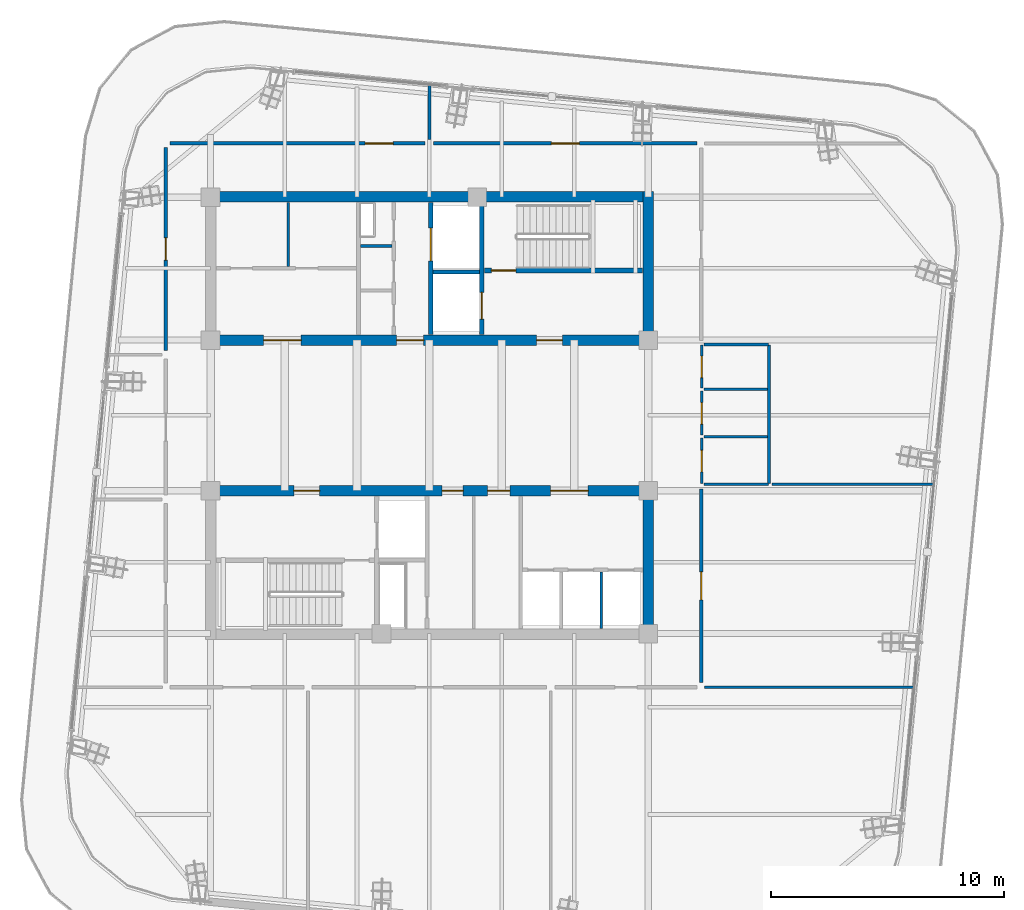
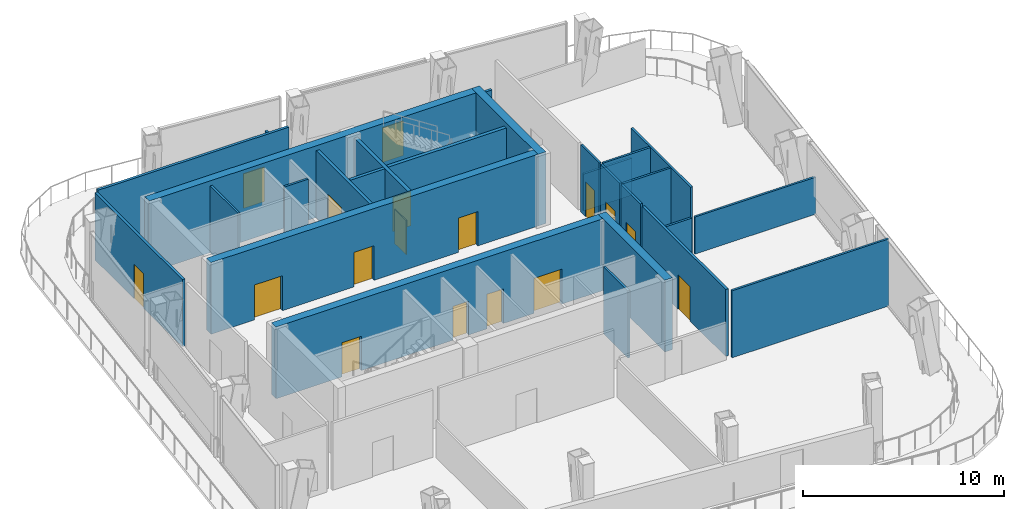
# One storey, part 13 of 19: 27 walls, 17 doors, 17 openings.
"""IFC4 building model written with IfcOpenShell, lengths in metres."""

from ifc_helpers import new_model, si_unit, direction, frame, frame_2d, origin, place, context, subcontext, project, spatial, rectangle, extrude, material, layer, layer_set, type_object, element, fill, save


model = new_model("IFC4")

# Units and contexts
model_context = context("Model", 3, precision=1e-05, world=origin(), true_north=direction((0.0, 1.0)))
body_context = subcontext(model_context, "Body", "Model", "MODEL_VIEW")
ifc_project = project(units=[si_unit("LENGTHUNIT", "METRE"), si_unit("AREAUNIT", "SQUARE_METRE"), si_unit("VOLUMEUNIT", "CUBIC_METRE"), si_unit("PLANEANGLEUNIT", "RADIAN"), si_unit("MASSUNIT", "GRAM", prefix="KILO")], contexts=[model_context])

# Site, building, storey
site_placement = place(None, origin())
site = spatial("IfcSite", under=ifc_project, at=site_placement, CompositionType="ELEMENT")
building_placement = place(site_placement, origin())
building = spatial("IfcBuilding", under=site, at=building_placement, Name="Qhalaya Broadcast Tower", CompositionType="ELEMENT")
storey_placement = place(building_placement, frame((0.0, 0.0, 280.550048828125)))
storey = spatial("IfcBuildingStorey", under=building, at=storey_placement, Name="L83", CompositionType="ELEMENT", Elevation=280.550048828125)

# Wall, opening, door
ifc_material_1 = material(Name="Gypsum Acoustic Partition")
ifc_layer_1 = layer(ifc_material_1, 0.14990234375, Name="Gypsum Acoustic Partition")
ifc_layer_set_1 = layer_set([ifc_layer_1], Name="Gypsum Acoustic Partition")
wall_type_1 = type_object("IfcWallType", Name="Corridor & Tenancy Acoustic Partition 150", PredefinedType="PARTITIONING", material=ifc_layer_set_1)
wall_1_placement = place(storey_placement, frame((-11.1201171875, 12.25, 0.0), z_axis=(0.0, 0.0, 1.0), x_axis=(1.0, 0.0, 0.0)))
wall_1 = element("IfcWall", 1, at=wall_1_placement, inside=storey, type_object=wall_type_1, Name="L83 Partition Wall W-COR-01", PredefinedType="PARTITIONING", context=body_context, shape_type="SweptSolid", body=[
    extrude(rectangle(XDim=10.940185546875, YDim=0.14990234375, at=frame_2d((5.47021484375, 0.0))), origin(), (0.0, 0.0, 1.0), 4.070068359375),
])
opening_1_placement = place(wall_1_placement, frame((8.37109375, 0.0, 0.0)))
opening_1 = element("IfcOpeningElement", 2, at=opening_1_placement, cuts=wall_1, Name="Opening D11", PredefinedType="OPENING", context=body_context, shape_type="SweptSolid", body=[
    extrude(rectangle(XDim=1.199951171875, YDim=2.10009765625, at=frame_2d((0.60009765625, 1.050048828125))), frame((0.0, 0.0869140625, 0.0), z_axis=(0.0, -1.0, 0.0), x_axis=(1.0, 0.0, 0.0)), (0.0, 0.0, 1.0), 0.173828125),
])
ifc_material_2 = material(Name="Anodised Aluminium Glazed Door", Category="aluminium")
door_type_1 = type_object("IfcDoorType", Name="Conference, Boardroom & Studio Control Door D11", OperationType="NOTDEFINED", PredefinedType="DOOR", material=ifc_material_2)
door_1_placement = place(opening_1_placement, origin())
door_1 = element("IfcDoor", 3, at=door_1_placement, inside=storey, type_object=door_type_1, Name="L83 Door D-RM01", OperationType="SINGLE_SWING_LEFT", OverallHeight=2.10009765625, OverallWidth=1.199951171875, PredefinedType="DOOR", context=body_context, shape_type="SweptSolid", body=[
    extrude(rectangle(XDim=1.199951171875, YDim=2.10009765625, at=frame_2d((0.60009765625, 1.050048828125))), frame((0.0, 0.02490234375, 0.0), z_axis=(0.0, -1.0, 0.0), x_axis=(1.0, 0.0, 0.0)), (0.0, 0.0, 1.0), 0.050048828125),
])
fill(opening_1, door_1)

wall_2_placement = place(storey_placement, frame((0.179931640625, 12.25, 0.0), z_axis=(0.0, 0.0, 1.0), x_axis=(1.0, 0.0, 0.0)))
wall_2 = element("IfcWall", 4, at=wall_2_placement, inside=storey, type_object=wall_type_1, Name="L83 Partition Wall W-COR-02", PredefinedType="PARTITIONING", context=body_context, shape_type="SweptSolid", body=[
    extrude(rectangle(XDim=11.2900390625, YDim=0.14990234375, at=frame_2d((5.64501953125, 0.0))), origin(), (0.0, 0.0, 1.0), 2.25),
])
opening_2_placement = place(wall_2_placement, frame((5.044921875, 0.0, 0.0)))
opening_2 = element("IfcOpeningElement", 5, at=opening_2_placement, cuts=wall_2, Name="Opening D11", PredefinedType="OPENING", context=body_context, shape_type="SweptSolid", body=[
    extrude(rectangle(XDim=1.199951171875, YDim=2.10009765625, at=frame_2d((0.60009765625, 1.050048828125))), frame((0.0, 0.0869140625, 0.0), z_axis=(0.0, -1.0, 0.0), x_axis=(1.0, 0.0, 0.0)), (0.0, 0.0, 1.0), 0.173828125),
])
door_2_placement = place(opening_2_placement, origin())
door_2 = element("IfcDoor", 6, at=door_2_placement, inside=storey, type_object=door_type_1, Name="L83 Door D-RM02", OperationType="SINGLE_SWING_RIGHT", OverallHeight=2.10009765625, OverallWidth=1.199951171875, PredefinedType="DOOR", context=body_context, shape_type="SweptSolid", body=[
    extrude(rectangle(XDim=1.199951171875, YDim=2.10009765625, at=frame_2d((0.60009765625, 1.050048828125))), frame((0.0, 0.02490234375, 0.0), z_axis=(0.0, -1.0, 0.0), x_axis=(1.0, 0.0, 0.0)), (0.0, 0.0, 1.0), 0.050048828125),
])
fill(opening_2, door_2)

wall_3_placement = place(storey_placement, frame((-11.300048828125, 3.3798828125, 0.0), z_axis=(0.0, 0.0, 1.0), x_axis=(0.0, 1.0, 0.0)))
wall_3 = element("IfcWall", 7, at=wall_3_placement, inside=storey, type_object=wall_type_1, Name="L83 Partition Wall W-COR-08", PredefinedType="PARTITIONING", context=body_context, shape_type="SweptSolid", body=[
    extrude(rectangle(XDim=8.690185546875, YDim=0.14990234375, at=frame_2d((4.34521484375, 0.0))), origin(), (0.0, 0.0, 1.0), 4.070068359375),
])
opening_3_placement = place(wall_3_placement, frame((3.8701171875, 0.0, 0.0)))
opening_3 = element("IfcOpeningElement", 8, at=opening_3_placement, cuts=wall_3, Name="Opening D10", PredefinedType="OPENING", context=body_context, shape_type="SweptSolid", body=[
    extrude(rectangle(XDim=0.949951171875, YDim=2.10009765625, at=frame_2d((0.47509765625, 1.050048828125))), frame((0.0, 0.0869140625, 0.0), z_axis=(0.0, -1.0, 0.0), x_axis=(1.0, 0.0, 0.0)), (0.0, 0.0, 1.0), 0.173828125),
])
ifc_material_3 = material(Name="Timber Veneer Acoustic Door", Category="wood")
door_type_2 = type_object("IfcDoorType", Name="Cellular Office & Edit Booth Door D10", OperationType="NOTDEFINED", PredefinedType="DOOR", material=ifc_material_3)
door_3_placement = place(opening_3_placement, origin())
door_3 = element("IfcDoor", 9, at=door_3_placement, inside=storey, type_object=door_type_2, Name="L83 Door D-RM08", OperationType="SINGLE_SWING_RIGHT", OverallHeight=2.10009765625, OverallWidth=0.949951171875, PredefinedType="DOOR", context=body_context, shape_type="SweptSolid", body=[
    extrude(rectangle(XDim=0.949951171875, YDim=2.10009765625, at=frame_2d((0.47509765625, 1.050048828125))), frame((0.0, 0.02490234375, 0.0), z_axis=(0.0, -1.0, 0.0), x_axis=(1.0, 0.0, 0.0)), (0.0, 0.0, 1.0), 0.050048828125),
])
fill(opening_3, door_3)

wall_4_placement = place(storey_placement, frame((11.64990234375, -10.85009765625, 0.0), z_axis=(0.0, 0.0, 1.0), x_axis=(0.0, 1.0, 0.0)))
wall_4 = element("IfcWall", 10, at=wall_4_placement, inside=storey, type_object=wall_type_1, Name="L83 Partition Wall W-COR-09", PredefinedType="PARTITIONING", context=body_context, shape_type="SweptSolid", body=[
    extrude(rectangle(XDim=8.2900390625, YDim=0.14990234375, at=frame_2d((4.14501953125, 0.0))), origin(), (0.0, 0.0, 1.0), 4.070068359375),
])
opening_4_placement = place(wall_4_placement, frame((3.544921875, 0.0, 0.0)))
opening_4 = element("IfcOpeningElement", 11, at=opening_4_placement, cuts=wall_4, Name="Opening D11", PredefinedType="OPENING", context=body_context, shape_type="SweptSolid", body=[
    extrude(rectangle(XDim=1.199951171875, YDim=2.10009765625, at=frame_2d((0.60009765625, 1.050048828125))), frame((0.0, 0.0869140625, 0.0), z_axis=(0.0, -1.0, 0.0), x_axis=(1.0, 0.0, 0.0)), (0.0, 0.0, 1.0), 0.173828125),
])
door_4_placement = place(opening_4_placement, origin())
door_4 = element("IfcDoor", 12, at=door_4_placement, inside=storey, type_object=door_type_1, Name="L83 Door D-RM09", OperationType="SINGLE_SWING_LEFT", OverallHeight=2.10009765625, OverallWidth=1.199951171875, PredefinedType="DOOR", context=body_context, shape_type="SweptSolid", body=[
    extrude(rectangle(XDim=1.199951171875, YDim=2.10009765625, at=frame_2d((0.60009765625, 1.050048828125))), frame((0.0, 0.02490234375, 0.0), z_axis=(0.0, -1.0, 0.0), x_axis=(1.0, 0.0, 0.0)), (0.0, 0.0, 1.0), 0.050048828125),
])
fill(opening_4, door_4)

ifc_material_4 = material(Name="Concrete C50/60", Category="concrete")
ifc_layer_2 = layer(ifc_material_4, 0.199951171875, Name="Concrete C50/60")
ifc_layer_set_2 = layer_set([ifc_layer_2], Name="Concrete C50/60")
wall_type_2 = type_object("IfcWallType", Name="Load-Bearing Stair Shaft Wall 200", PredefinedType="SHEAR", material=ifc_layer_set_2)
wall_5_placement = place(storey_placement, frame((2.360107421875, 6.804931640625, 0.0), z_axis=(0.0, 0.0, 1.0), x_axis=(1.0, 0.0, 0.0)))
wall_5 = element("IfcWall", 13, at=wall_5_placement, inside=storey, type_object=wall_type_2, Name="L83 Stair Core Shear Wall NCW-ST1", PredefinedType="SHEAR", context=body_context, shape_type="SweptSolid", body=[
    extrude(rectangle(XDim=6.769775390625, YDim=0.199951171875, at=frame_2d((3.384765625, 0.0))), origin(), (0.0, 0.0, 1.0), 4.070068359375),
])
opening_5_placement = place(wall_5_placement, frame((0.300048828125, 0.0, 0.0)))
opening_5 = element("IfcOpeningElement", 14, at=opening_5_placement, cuts=wall_5, Name="Opening D03", PredefinedType="OPENING", context=body_context, shape_type="SweptSolid", body=[
    extrude(rectangle(XDim=1.050048828125, YDim=2.080078125, at=frame_2d((0.52490234375, 1.0400390625))), frame((0.0, 0.112060546875, 0.0), z_axis=(0.0, -1.0, 0.0), x_axis=(1.0, 0.0, 0.0)), (0.0, 0.0, 1.0), 0.223876953125),
])
ifc_material_5 = material(Name="Fire-Rated Steel Door", Category="steel")
door_type_3 = type_object("IfcDoorType", Name="Core Stair Protected Fire Door D03", OperationType="NOTDEFINED", PredefinedType="DOOR", material=ifc_material_5)
door_5_placement = place(opening_5_placement, origin())
door_5 = element("IfcDoor", 15, at=door_5_placement, inside=storey, type_object=door_type_3, Name="L83 Door D-NST1", OperationType="SINGLE_SWING_LEFT", OverallHeight=2.080078125, OverallWidth=1.050048828125, PredefinedType="DOOR", context=body_context, shape_type="SweptSolid", body=[
    extrude(rectangle(XDim=1.050048828125, YDim=2.080078125, at=frame_2d((0.52490234375, 1.0400390625))), frame((0.0, 0.02490234375, 0.0), z_axis=(0.0, -1.0, 0.0), x_axis=(1.0, 0.0, 0.0)), (0.0, 0.0, 1.0), 0.050048828125),
])
fill(opening_5, door_5)

wall_6_placement = place(storey_placement, frame((2.25, 4.070068359375, 0.0), z_axis=(0.0, 0.0, 1.0), x_axis=(0.0, 1.0, 0.0)))
wall_6 = element("IfcWall", 16, at=wall_6_placement, inside=storey, type_object=wall_type_2, Name="L83 Stair Core Shear Wall NCW-FF", PredefinedType="SHEAR", context=body_context, shape_type="SweptSolid", body=[
    extrude(rectangle(XDim=5.659912109375, YDim=0.199951171875, at=frame_2d((2.830078125, 0.0))), origin(), (0.0, 0.0, 1.0), 4.070068359375),
])
opening_6_placement = place(wall_6_placement, frame((0.64990234375, 0.0, 0.0)))
opening_6 = element("IfcOpeningElement", 17, at=opening_6_placement, cuts=wall_6, Name="Opening LD2", PredefinedType="OPENING", context=body_context, shape_type="SweptSolid", body=[
    extrude(rectangle(XDim=1.14990234375, YDim=2.080078125, at=frame_2d((0.574951171875, 1.0400390625))), frame((0.0, 0.112060546875, 0.0), z_axis=(0.0, -1.0, 0.0), x_axis=(1.0, 0.0, 0.0)), (0.0, 0.0, 1.0), 0.223876953125),
])
ifc_material_6 = material(Name="Brushed Stainless Steel Lift Door", Category="steel")
door_type_4 = type_object("IfcDoorType", Name="Firefighting Lift Sliding Landing Door LD2", OperationType="DOUBLE_DOOR_SLIDING", PredefinedType="DOOR", material=ifc_material_6)
door_6_placement = place(opening_6_placement, origin())
door_6 = element("IfcDoor", 18, at=door_6_placement, inside=storey, type_object=door_type_4, Name="L83 Door LD-FF1", OperationType="DOUBLE_DOOR_SLIDING", OverallHeight=2.080078125, OverallWidth=1.14990234375, PredefinedType="DOOR", context=body_context, shape_type="SweptSolid", body=[
    extrude(rectangle(XDim=1.14990234375, YDim=2.080078125, at=frame_2d((0.574951171875, 1.0400390625))), frame((0.0, 0.02490234375, 0.0), z_axis=(0.0, -1.0, 0.0), x_axis=(1.0, 0.0, 0.0)), (0.0, 0.0, 1.0), 0.050048828125),
])
fill(opening_6, door_6)

# Walls
ifc_layer_3 = layer(ifc_material_1, 0.1201171875, Name="Gypsum Acoustic Partition")
ifc_layer_set_3 = layer_set([ifc_layer_3], Name="Gypsum Acoustic Partition")
wall_type_3 = type_object("IfcWallType", Name="Office, Booth & Sanitary Partition 120", PredefinedType="PARTITIONING", material=ifc_layer_set_3)
wall_7_placement = place(storey_placement, frame((-2.9599609375, 7.85009765625, 0.0), z_axis=(0.0, 0.0, 1.0), x_axis=(1.0, 0.0, 0.0)))
element("IfcWall", 19, at=wall_7_placement, inside=storey, type_object=wall_type_3, Name="L83 Partition Wall NCW-VB2", PredefinedType="PARTITIONING", context=body_context, shape_type="SweptSolid", body=[
    extrude(rectangle(XDim=1.35986328125, YDim=0.1201171875, at=frame_2d((0.679931640625, 0.0))), origin(), (0.0, 0.0, 1.0), 4.070068359375),
])
wall_8_placement = place(storey_placement, frame((-6.050048828125, 6.97998046875, 0.0), z_axis=(0.0, 0.0, 1.0), x_axis=(0.0, 1.0, 0.0)))
element("IfcWall", 20, at=wall_8_placement, inside=storey, type_object=wall_type_3, Name="L83 Partition Wall NCW-REC2", PredefinedType="PARTITIONING", context=body_context, shape_type="SweptSolid", body=[
    extrude(rectangle(XDim=2.75, YDim=0.1201171875, at=frame_2d((1.375, 0.0))), origin(), (0.0, 0.0, 1.0), 4.070068359375),
])
wall_9_placement = place(storey_placement, frame((7.360107421875, -8.530029296875, 0.0), z_axis=(0.0, 0.0, 1.0), x_axis=(0.0, 1.0, 0.0)))
element("IfcWall", 21, at=wall_9_placement, inside=storey, type_object=wall_type_3, Name="L83 Partition Wall SCW-HD7", PredefinedType="PARTITIONING", context=body_context, shape_type="SweptSolid", body=[
    extrude(rectangle(XDim=2.429931640625, YDim=0.1201171875, at=frame_2d((1.21484375, 0.0))), origin(), (0.0, 0.0, 1.0), 4.070068359375),
])

# Wall, opening, door
wall_10_placement = place(storey_placement, frame((11.669921875, -2.320068359375, 0.0), z_axis=(0.0, 0.0, 1.0), x_axis=(0.0, 1.0, 0.0)))
wall_10 = element("IfcWall", 22, at=wall_10_placement, inside=storey, type_object=wall_type_3, Name="L83 Partition Wall W-WCWA", PredefinedType="PARTITIONING", context=body_context, shape_type="SweptSolid", body=[
    extrude(rectangle(XDim=1.940185546875, YDim=0.1201171875, at=frame_2d((0.97021484375, 0.0))), origin(), (0.0, 0.0, 1.0), 4.070068359375),
])
opening_7_placement = place(wall_10_placement, frame((0.4951171875, 0.0, 0.0)))
opening_7 = element("IfcOpeningElement", 23, at=opening_7_placement, cuts=wall_10, Name="Opening D12", PredefinedType="OPENING", context=body_context, shape_type="SweptSolid", body=[
    extrude(rectangle(XDim=0.919921875, YDim=2.10009765625, at=frame_2d((0.4599609375, 1.050048828125))), frame((0.0, 0.072021484375, 0.0), z_axis=(0.0, -1.0, 0.0), x_axis=(1.0, 0.0, 0.0)), (0.0, 0.0, 1.0), 0.14404296875),
])
door_type_5 = type_object("IfcDoorType", Name="Accessible WC & Restroom Door D12", OperationType="NOTDEFINED", PredefinedType="DOOR", material=ifc_material_3)
door_7_placement = place(opening_7_placement, origin())
door_7 = element("IfcDoor", 24, at=door_7_placement, inside=storey, type_object=door_type_5, Name="L83 Door D-WCA", OperationType="SINGLE_SWING_LEFT", OverallHeight=2.10009765625, OverallWidth=0.919921875, PredefinedType="DOOR", context=body_context, shape_type="SweptSolid", body=[
    extrude(rectangle(XDim=0.919921875, YDim=2.10009765625, at=frame_2d((0.4599609375, 1.050048828125))), frame((0.0, 0.02490234375, 0.0), z_axis=(0.0, -1.0, 0.0), x_axis=(1.0, 0.0, 0.0)), (0.0, 0.0, 1.0), 0.050048828125),
])
fill(opening_7, door_7)

wall_11_placement = place(storey_placement, frame((11.669921875, -0.25, 0.0), z_axis=(0.0, 0.0, 1.0), x_axis=(0.0, 1.0, 0.0)))
wall_11 = element("IfcWall", 25, at=wall_11_placement, inside=storey, type_object=wall_type_3, Name="L83 Partition Wall W-WCWM", PredefinedType="PARTITIONING", context=body_context, shape_type="SweptSolid", body=[
    extrude(rectangle(XDim=1.89990234375, YDim=0.1201171875, at=frame_2d((0.949951171875, 0.0))), origin(), (0.0, 0.0, 1.0), 4.070068359375),
])
opening_8_placement = place(wall_11_placement, frame((0.47509765625, 0.0, 0.0)))
opening_8 = element("IfcOpeningElement", 26, at=opening_8_placement, cuts=wall_11, Name="Opening D12", PredefinedType="OPENING", context=body_context, shape_type="SweptSolid", body=[
    extrude(rectangle(XDim=0.919921875, YDim=2.10009765625, at=frame_2d((0.4599609375, 1.050048828125))), frame((0.0, 0.072021484375, 0.0), z_axis=(0.0, -1.0, 0.0), x_axis=(1.0, 0.0, 0.0)), (0.0, 0.0, 1.0), 0.14404296875),
])
door_8_placement = place(opening_8_placement, origin())
door_8 = element("IfcDoor", 27, at=door_8_placement, inside=storey, type_object=door_type_5, Name="L83 Door D-WCM", OperationType="SINGLE_SWING_RIGHT", OverallHeight=2.10009765625, OverallWidth=0.919921875, PredefinedType="DOOR", context=body_context, shape_type="SweptSolid", body=[
    extrude(rectangle(XDim=0.919921875, YDim=2.10009765625, at=frame_2d((0.4599609375, 1.050048828125))), frame((0.0, 0.02490234375, 0.0), z_axis=(0.0, -1.0, 0.0), x_axis=(1.0, 0.0, 0.0)), (0.0, 0.0, 1.0), 0.050048828125),
])
fill(opening_8, door_8)

wall_12_placement = place(storey_placement, frame((11.669921875, 1.780029296875, 0.0), z_axis=(0.0, 0.0, 1.0), x_axis=(0.0, 1.0, 0.0)))
wall_12 = element("IfcWall", 28, at=wall_12_placement, inside=storey, type_object=wall_type_3, Name="L83 Partition Wall W-WCWF", PredefinedType="PARTITIONING", context=body_context, shape_type="SweptSolid", body=[
    extrude(rectangle(XDim=1.830078125, YDim=0.1201171875, at=frame_2d((0.9150390625, 0.0))), origin(), (0.0, 0.0, 1.0), 4.070068359375),
])
opening_9_placement = place(wall_12_placement, frame((0.43994140625, 0.0, 0.0)))
opening_9 = element("IfcOpeningElement", 29, at=opening_9_placement, cuts=wall_12, Name="Opening D12", PredefinedType="OPENING", context=body_context, shape_type="SweptSolid", body=[
    extrude(rectangle(XDim=0.919921875, YDim=2.10009765625, at=frame_2d((0.4599609375, 1.050048828125))), frame((0.0, 0.072021484375, 0.0), z_axis=(0.0, -1.0, 0.0), x_axis=(1.0, 0.0, 0.0)), (0.0, 0.0, 1.0), 0.14404296875),
])
door_9_placement = place(opening_9_placement, origin())
door_9 = element("IfcDoor", 30, at=door_9_placement, inside=storey, type_object=door_type_5, Name="L83 Door D-WCF", OperationType="SINGLE_SWING_LEFT", OverallHeight=2.10009765625, OverallWidth=0.919921875, PredefinedType="DOOR", context=body_context, shape_type="SweptSolid", body=[
    extrude(rectangle(XDim=0.919921875, YDim=2.10009765625, at=frame_2d((0.4599609375, 1.050048828125))), frame((0.0, 0.02490234375, 0.0), z_axis=(0.0, -1.0, 0.0), x_axis=(1.0, 0.0, 0.0)), (0.0, 0.0, 1.0), 0.050048828125),
])
fill(opening_9, door_9)

# Walls
wall_13_placement = place(storey_placement, frame((14.550048828125, -2.320068359375, 0.0), z_axis=(0.0, 0.0, 1.0), x_axis=(0.0, 1.0, 0.0)))
element("IfcWall", 31, at=wall_13_placement, inside=storey, type_object=wall_type_3, Name="L83 Partition Wall W-WCE", PredefinedType="PARTITIONING", context=body_context, shape_type="SweptSolid", body=[
    extrude(rectangle(XDim=5.93017578125, YDim=0.1201171875, at=frame_2d((2.965087890625, 0.0))), origin(), (0.0, 0.0, 1.0), 4.070068359375),
])
for number, where, z_axis, x_axis, name in (
    (32, (11.760009765625, -2.35009765625, 0.0), (0.0, 0.0, 1.0), (1.0, 0.0, 0.0), "L83 Partition Wall W-WCS"),
    (33, (11.760009765625, 3.639892578125, 0.0), (0.0, 0.0, 1.0), (1.0, 0.0, 0.0), "L83 Partition Wall W-WCN"),
):
    element("IfcWall", number, at=place(storey_placement, frame(where, z_axis=z_axis, x_axis=x_axis)), inside=storey, type_object=wall_type_3, Name=name, PredefinedType="PARTITIONING", context=body_context, shape_type="SweptSolid", body=[
        extrude(rectangle(XDim=2.760009765625, YDim=0.1201171875, at=frame_2d((1.3798828125, 0.0))), origin(), (0.0, 0.0, 1.0), 2.25),
    ])
for number, where, z_axis, x_axis, name in (
    (34, (11.760009765625, -0.320068359375, 0.0), (0.0, 0.0, 1.0), (1.0, 0.0, 0.0), "L83 Partition Wall W-WCD1"),
    (35, (11.760009765625, 1.719970703125, 0.0), (0.0, 0.0, 1.0), (1.0, 0.0, 0.0), "L83 Partition Wall W-WCD2"),
):
    element("IfcWall", number, at=place(storey_placement, frame(where, z_axis=z_axis, x_axis=x_axis)), inside=storey, type_object=wall_type_3, Name=name, PredefinedType="PARTITIONING", context=body_context, shape_type="SweptSolid", body=[
        extrude(rectangle(XDim=2.719970703125, YDim=0.1201171875, at=frame_2d((1.35986328125, 0.0))), origin(), (0.0, 0.0, 1.0), 4.070068359375),
    ])
wall_14_placement = place(storey_placement, frame((11.7900390625, -11.050048828125, 0.0), z_axis=(0.0, 0.0, 1.0), x_axis=(1.0, 0.0, 0.0)))
element("IfcWall", 36, at=wall_14_placement, inside=storey, type_object=wall_type_3, Name="L83 Partition Wall W-BNDE2", PredefinedType="PARTITIONING", context=body_context, shape_type="SweptSolid", body=[
    extrude(rectangle(XDim=8.989501953125, YDim=0.1201171875, at=frame_2d((4.49462890625, 0.0))), origin(), (0.0, 0.0, 1.0), 4.070068359375),
])
wall_15_placement = place(storey_placement, frame((0.0, 12.409912109375, 0.0), z_axis=(0.0, 0.0, 1.0), x_axis=(0.0, 1.0, 0.0)))
element("IfcWall", 37, at=wall_15_placement, inside=storey, type_object=wall_type_3, Name="L83 Partition Wall W-DIVN1", PredefinedType="PARTITIONING", context=body_context, shape_type="SweptSolid", body=[
    extrude(rectangle(XDim=2.353515625, YDim=0.1201171875, at=frame_2d((1.1767578125, 0.0))), origin(), (0.0, 0.0, 1.0), 2.25),
])
wall_16_placement = place(storey_placement, frame((14.68994140625, -2.35009765625, 0.0), z_axis=(0.0, 0.0, 1.0), x_axis=(1.0, 0.0, 0.0)))
element("IfcWall", 38, at=wall_16_placement, inside=storey, type_object=wall_type_3, Name="L83 Partition Wall W-DIVE-WC", PredefinedType="PARTITIONING", context=body_context, shape_type="SweptSolid", body=[
    extrude(rectangle(XDim=6.92724609375, YDim=0.1201171875, at=frame_2d((3.463623046875, 0.0))), origin(), (0.0, 0.0, 1.0), 2.25),
])

# Wall, opening, door
ifc_layer_4 = layer(ifc_material_1, 0.175048828125, Name="Gypsum Acoustic Partition")
ifc_layer_set_4 = layer_set([ifc_layer_4], Name="Gypsum Acoustic Partition")
wall_type_4 = type_object("IfcWallType", Name="Shaft & Riser Fire Partition 175", PredefinedType="PARTITIONING", material=ifc_layer_set_4)
wall_17_placement = place(storey_placement, frame((0.06005859375, 4.070068359375, 0.0), z_axis=(0.0, 0.0, 1.0), x_axis=(0.0, 1.0, 0.0)))
wall_17 = element("IfcWall", 39, at=wall_17_placement, inside=storey, type_object=wall_type_4, Name="L83 Partition Wall NCW-SVW", PredefinedType="PARTITIONING", context=body_context, shape_type="SweptSolid", body=[
    extrude(rectangle(XDim=5.659912109375, YDim=0.175048828125, at=frame_2d((2.830078125, 0.0))), origin(), (0.0, 0.0, 1.0), 4.070068359375),
])
opening_10_placement = place(wall_17_placement, frame((3.14990234375, 0.0, 0.0)))
opening_10 = element("IfcOpeningElement", 40, at=opening_10_placement, cuts=wall_17, Name="Opening LD3", PredefinedType="OPENING", context=body_context, shape_type="SweptSolid", body=[
    extrude(rectangle(XDim=1.39990234375, YDim=2.1201171875, at=frame_2d((0.699951171875, 1.06005859375))), frame((0.0, 0.099609375, 0.0), z_axis=(0.0, -1.0, 0.0), x_axis=(1.0, 0.0, 0.0)), (0.0, 0.0, 1.0), 0.198974609375),
])
door_type_6 = type_object("IfcDoorType", Name="Service Lift Wide Sliding Landing Door LD3", OperationType="DOUBLE_DOOR_SLIDING", PredefinedType="DOOR", material=ifc_material_6)
door_10_placement = place(opening_10_placement, origin())
door_10 = element("IfcDoor", 41, at=door_10_placement, inside=storey, type_object=door_type_6, Name="L83 Door LD-SV1", OperationType="DOUBLE_DOOR_SLIDING", OverallHeight=2.1201171875, OverallWidth=1.39990234375, PredefinedType="DOOR", context=body_context, shape_type="SweptSolid", body=[
    extrude(rectangle(XDim=1.39990234375, YDim=2.1201171875, at=frame_2d((0.699951171875, 1.06005859375))), frame((0.0, 0.02490234375, 0.0), z_axis=(0.0, -1.0, 0.0), x_axis=(1.0, 0.0, 0.0)), (0.0, 0.0, 1.0), 0.050048828125),
])
fill(opening_10, door_10)

# Walls
wall_18_placement = place(storey_placement, frame((0.159912109375, 6.75, 0.0), z_axis=(0.0, 0.0, 1.0), x_axis=(1.0, 0.0, 0.0)))
element("IfcWall", 42, at=wall_18_placement, inside=storey, type_object=wall_type_4, Name="L83 Partition Wall NCW-SVM", PredefinedType="PARTITIONING", context=body_context, shape_type="SweptSolid", body=[
    extrude(rectangle(XDim=1.97998046875, YDim=0.175048828125, at=frame_2d((0.989990234375, 0.0))), origin(), (0.0, 0.0, 1.0), 4.070068359375),
])
ifc_layer_5 = layer(ifc_material_4, 0.449951171875, Name="Concrete C50/60")
ifc_layer_set_5 = layer_set([ifc_layer_5], Name="Concrete C50/60")
wall_type_5 = type_object("IfcWallType", Name="Upper Split-Core Shear Wall 450", PredefinedType="SHEAR", material=ifc_layer_set_5)
wall_19_placement = place(storey_placement, frame((-9.60009765625, 9.97509765625, 0.0), z_axis=(0.0, 0.0, 1.0), x_axis=(1.0, 0.0, 0.0)))
element("IfcWall", 43, at=wall_19_placement, inside=storey, type_object=wall_type_5, Name="L83 Split-Core Shear Wall CW-NN", PredefinedType="SHEAR", context=body_context, shape_type="SweptSolid", body=[
    extrude(rectangle(XDim=19.2001953125, YDim=0.449951171875, at=frame_2d((9.60009765625, 0.0))), origin(), (0.0, 0.0, 1.0), 4.349853515625),
])

# Wall, openings, doors
wall_20_placement = place(storey_placement, frame((-9.60009765625, 3.824951171875, 0.0), z_axis=(0.0, 0.0, 1.0), x_axis=(1.0, 0.0, 0.0)))
wall_20 = element("IfcWall", 44, at=wall_20_placement, inside=storey, type_object=wall_type_5, Name="L83 Split-Core Shear Wall CW-NS", PredefinedType="SHEAR", context=body_context, shape_type="SweptSolid", body=[
    extrude(rectangle(XDim=19.2001953125, YDim=0.449951171875, at=frame_2d((9.60009765625, 0.0))), origin(), (0.0, 0.0, 1.0), 4.349853515625),
])
opening_11_placement = place(wall_20_placement, frame((14.199951171875, 0.0, 0.0)))
opening_11 = element("IfcOpeningElement", 45, at=opening_11_placement, cuts=wall_20, Name="Opening D04", PredefinedType="OPENING", context=body_context, shape_type="SweptSolid", body=[
    extrude(rectangle(XDim=1.10009765625, YDim=2.080078125, at=frame_2d((0.550048828125, 1.0400390625))), frame((0.0, 0.237060546875, 0.0), z_axis=(0.0, -1.0, 0.0), x_axis=(1.0, 0.0, 0.0)), (0.0, 0.0, 1.0), 0.473876953125),
])
opening_12_placement = place(wall_20_placement, frame((8.199951171875, 0.0, 0.0)))
opening_12 = element("IfcOpeningElement", 46, at=opening_12_placement, cuts=wall_20, Name="Opening D05", PredefinedType="OPENING", context=body_context, shape_type="SweptSolid", body=[
    extrude(rectangle(XDim=1.14990234375, YDim=2.10009765625, at=frame_2d((0.574951171875, 1.050048828125))), frame((0.0, 0.237060546875, 0.0), z_axis=(0.0, -1.0, 0.0), x_axis=(1.0, 0.0, 0.0)), (0.0, 0.0, 1.0), 0.473876953125),
])
opening_13_placement = place(wall_20_placement, frame((2.5, 0.0, 0.0)))
opening_13 = element("IfcOpeningElement", 47, at=opening_13_placement, cuts=wall_20, Name="Opening D07", PredefinedType="OPENING", context=body_context, shape_type="SweptSolid", body=[
    extrude(rectangle(XDim=1.60009765625, YDim=2.1201171875, at=frame_2d((0.800048828125, 1.06005859375))), frame((0.0, 0.237060546875, 0.0), z_axis=(0.0, -1.0, 0.0), x_axis=(1.0, 0.0, 0.0)), (0.0, 0.0, 1.0), 0.473876953125),
])
door_type_7 = type_object("IfcDoorType", Name="Firefighting Lobby Rated Door D04", OperationType="NOTDEFINED", PredefinedType="DOOR", material=ifc_material_5)
door_11_placement = place(opening_11_placement, origin())
door_11 = element("IfcDoor", 48, at=door_11_placement, inside=storey, type_object=door_type_7, Name="L83 Door D-NFF", OperationType="SINGLE_SWING_RIGHT", OverallHeight=2.080078125, OverallWidth=1.10009765625, PredefinedType="DOOR", context=body_context, shape_type="SweptSolid", body=[
    extrude(rectangle(XDim=1.10009765625, YDim=2.080078125, at=frame_2d((0.550048828125, 1.0400390625))), frame((0.0, 0.02490234375, 0.0), z_axis=(0.0, -1.0, 0.0), x_axis=(1.0, 0.0, 0.0)), (0.0, 0.0, 1.0), 0.050048828125),
])
fill(opening_11, door_11)
door_type_8 = type_object("IfcDoorType", Name="Passenger Lift Lobby Double Glazed Door D07", OperationType="DOUBLE_DOOR_SINGLE_SWING", PredefinedType="DOOR", material=ifc_material_2)
door_12_placement = place(opening_13_placement, origin())
door_12 = element("IfcDoor", 49, at=door_12_placement, inside=storey, type_object=door_type_8, Name="L83 Door D-NRECV", OperationType="DOUBLE_DOOR_SINGLE_SWING", OverallHeight=2.1201171875, OverallWidth=1.60009765625, PredefinedType="DOOR", context=body_context, shape_type="SweptSolid", body=[
    extrude(rectangle(XDim=1.60009765625, YDim=2.1201171875, at=frame_2d((0.800048828125, 1.06005859375))), frame((0.0, 0.02490234375, 0.0), z_axis=(0.0, -1.0, 0.0), x_axis=(1.0, 0.0, 0.0)), (0.0, 0.0, 1.0), 0.050048828125),
])
fill(opening_13, door_12)
door_type_9 = type_object("IfcDoorType", Name="Refuge & Plant Room Fire Door D05", OperationType="NOTDEFINED", PredefinedType="DOOR", material=ifc_material_5)
door_13_placement = place(opening_12_placement, origin())
door_13 = element("IfcDoor", 50, at=door_13_placement, inside=storey, type_object=door_type_9, Name="L83 Door D-NSVL", OperationType="SINGLE_SWING_LEFT", OverallHeight=2.10009765625, OverallWidth=1.14990234375, PredefinedType="DOOR", context=body_context, shape_type="SweptSolid", body=[
    extrude(rectangle(XDim=1.14990234375, YDim=2.10009765625, at=frame_2d((0.574951171875, 1.050048828125))), frame((0.0, 0.02490234375, 0.0), z_axis=(0.0, -1.0, 0.0), x_axis=(1.0, 0.0, 0.0)), (0.0, 0.0, 1.0), 0.050048828125),
])
fill(opening_12, door_13)

# Wall
wall_21_placement = place(storey_placement, frame((9.375, 3.60009765625, 0.0), z_axis=(0.0, 0.0, 1.0), x_axis=(0.0, 1.0, 0.0)))
element("IfcWall", 51, at=wall_21_placement, inside=storey, type_object=wall_type_5, Name="L83 Split-Core Shear Wall CW-NE", PredefinedType="SHEAR", context=body_context, shape_type="SweptSolid", body=[
    extrude(rectangle(XDim=6.599853515625, YDim=0.449951171875, at=frame_2d((3.2998046875, 0.0))), origin(), (0.0, 0.0, 1.0), 4.349853515625),
])

# Wall, openings, doors
wall_22_placement = place(storey_placement, frame((-9.60009765625, -2.625, 0.0), z_axis=(0.0, 0.0, 1.0), x_axis=(1.0, 0.0, 0.0)))
wall_22 = element("IfcWall", 52, at=wall_22_placement, inside=storey, type_object=wall_type_5, Name="L83 Split-Core Shear Wall CW-SN", PredefinedType="SHEAR", context=body_context, shape_type="SweptSolid", body=[
    extrude(rectangle(XDim=19.2001953125, YDim=0.449951171875, at=frame_2d((9.60009765625, 0.0))), origin(), (0.0, 0.0, 1.0), 4.349853515625),
])
opening_14_placement = place(wall_22_placement, frame((3.800048828125, 0.0, 0.0)))
opening_14 = element("IfcOpeningElement", 53, at=opening_14_placement, cuts=wall_22, Name="Opening D04", PredefinedType="OPENING", context=body_context, shape_type="SweptSolid", body=[
    extrude(rectangle(XDim=1.10009765625, YDim=2.080078125, at=frame_2d((0.550048828125, 1.0400390625))), frame((0.0, 0.237060546875, 0.0), z_axis=(0.0, -1.0, 0.0), x_axis=(1.0, 0.0, 0.0)), (0.0, 0.0, 1.0), 0.473876953125),
])
opening_15_placement = place(wall_22_placement, frame((10.14990234375, 0.0, 0.0)))
opening_15 = element("IfcOpeningElement", 54, at=opening_15_placement, cuts=wall_22, Name="Opening D06", PredefinedType="OPENING", context=body_context, shape_type="SweptSolid", body=[
    extrude(rectangle(XDim=0.89990234375, YDim=2.050048828125, at=frame_2d((0.449951171875, 1.02490234375))), frame((0.0, 0.237060546875, 0.0), z_axis=(0.0, -1.0, 0.0), x_axis=(1.0, 0.0, 0.0)), (0.0, 0.0, 1.0), 0.473876953125),
])
opening_16_placement = place(wall_22_placement, frame((12.10009765625, 0.0, 0.0)))
opening_16 = element("IfcOpeningElement", 55, at=opening_16_placement, cuts=wall_22, Name="Opening D10", PredefinedType="OPENING", context=body_context, shape_type="SweptSolid", body=[
    extrude(rectangle(XDim=0.949951171875, YDim=2.10009765625, at=frame_2d((0.47509765625, 1.050048828125))), frame((0.0, 0.237060546875, 0.0), z_axis=(0.0, -1.0, 0.0), x_axis=(1.0, 0.0, 0.0)), (0.0, 0.0, 1.0), 0.473876953125),
])
opening_17_placement = place(wall_22_placement, frame((14.800048828125, 0.0, 0.0)))
opening_17 = element("IfcOpeningElement", 56, at=opening_17_placement, cuts=wall_22, Name="Opening D07", PredefinedType="OPENING", context=body_context, shape_type="SweptSolid", body=[
    extrude(rectangle(XDim=1.60009765625, YDim=2.1201171875, at=frame_2d((0.800048828125, 1.06005859375))), frame((0.0, 0.237060546875, 0.0), z_axis=(0.0, -1.0, 0.0), x_axis=(1.0, 0.0, 0.0)), (0.0, 0.0, 1.0), 0.473876953125),
])
door_14_placement = place(opening_16_placement, origin())
door_14 = element("IfcDoor", 57, at=door_14_placement, inside=storey, type_object=door_type_2, Name="L83 Door D-SREC2", OperationType="SINGLE_SWING_RIGHT", OverallHeight=2.10009765625, OverallWidth=0.949951171875, PredefinedType="DOOR", context=body_context, shape_type="SweptSolid", body=[
    extrude(rectangle(XDim=0.949951171875, YDim=2.10009765625, at=frame_2d((0.47509765625, 1.050048828125))), frame((0.0, 0.02490234375, 0.0), z_axis=(0.0, -1.0, 0.0), x_axis=(1.0, 0.0, 0.0)), (0.0, 0.0, 1.0), 0.050048828125),
])
fill(opening_16, door_14)
door_15_placement = place(opening_14_placement, origin())
door_15 = element("IfcDoor", 58, at=door_15_placement, inside=storey, type_object=door_type_7, Name="L83 Door D-SFF", OperationType="SINGLE_SWING_LEFT", OverallHeight=2.080078125, OverallWidth=1.10009765625, PredefinedType="DOOR", context=body_context, shape_type="SweptSolid", body=[
    extrude(rectangle(XDim=1.10009765625, YDim=2.080078125, at=frame_2d((0.550048828125, 1.0400390625))), frame((0.0, 0.02490234375, 0.0), z_axis=(0.0, -1.0, 0.0), x_axis=(1.0, 0.0, 0.0)), (0.0, 0.0, 1.0), 0.050048828125),
])
fill(opening_14, door_15)
door_16_placement = place(opening_17_placement, origin())
door_16 = element("IfcDoor", 59, at=door_16_placement, inside=storey, type_object=door_type_8, Name="L83 Door D-SPLL", OperationType="DOUBLE_DOOR_SINGLE_SWING", OverallHeight=2.1201171875, OverallWidth=1.60009765625, PredefinedType="DOOR", context=body_context, shape_type="SweptSolid", body=[
    extrude(rectangle(XDim=1.60009765625, YDim=2.1201171875, at=frame_2d((0.800048828125, 1.06005859375))), frame((0.0, 0.02490234375, 0.0), z_axis=(0.0, -1.0, 0.0), x_axis=(1.0, 0.0, 0.0)), (0.0, 0.0, 1.0), 0.050048828125),
])
fill(opening_17, door_16)
door_type_10 = type_object("IfcDoorType", Name="Riser & Electrical Shaft Access Door D06", OperationType="NOTDEFINED", PredefinedType="DOOR", material=ifc_material_5)
door_17_placement = place(opening_15_placement, origin())
door_17 = element("IfcDoor", 60, at=door_17_placement, inside=storey, type_object=door_type_10, Name="L83 Door D-SREC1", OperationType="SINGLE_SWING_LEFT", OverallHeight=2.050048828125, OverallWidth=0.89990234375, PredefinedType="DOOR", context=body_context, shape_type="SweptSolid", body=[
    extrude(rectangle(XDim=0.89990234375, YDim=2.050048828125, at=frame_2d((0.449951171875, 1.02490234375))), frame((0.0, 0.02490234375, 0.0), z_axis=(0.0, -1.0, 0.0), x_axis=(1.0, 0.0, 0.0)), (0.0, 0.0, 1.0), 0.050048828125),
])
fill(opening_15, door_17)

# Wall
wall_23_placement = place(storey_placement, frame((9.375, -9.0, 0.0), z_axis=(0.0, 0.0, 1.0), x_axis=(0.0, 1.0, 0.0)))
element("IfcWall", 61, at=wall_23_placement, inside=storey, type_object=wall_type_5, Name="L83 Split-Core Shear Wall CW-SE", PredefinedType="SHEAR", context=body_context, shape_type="SweptSolid", body=[
    extrude(rectangle(XDim=6.60009765625, YDim=0.449951171875, at=frame_2d((3.300048828125, 0.0))), origin(), (0.0, 0.0, 1.0), 4.349853515625),
])

save(model, "model.ifc")
